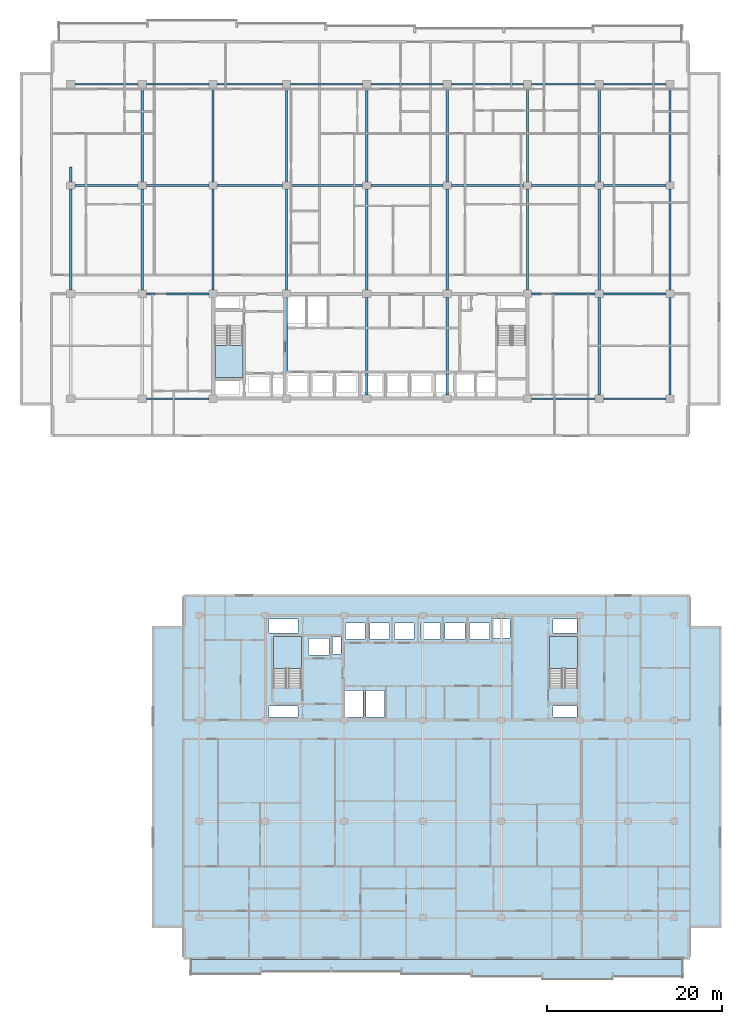
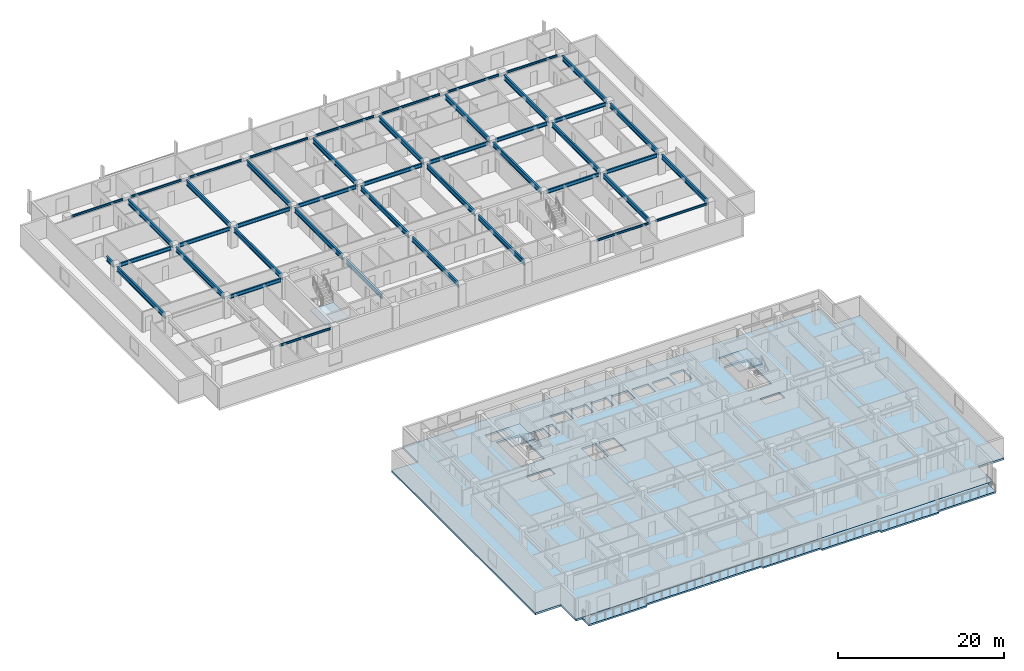
# One storey, part 2 of 22: 45 beams, 5 slabs, 3 elements without a shape of their own.
"""IFC4 building model written with IfcOpenShell, lengths in metres."""

from ifc_helpers import new_model, si_unit, direction, frame, origin, origin_2d, place, context, subcontext, project, spatial, polyline, i_section, outline, extrude, material, layer, layer_set, material_profile, profile_set, type_object, element, aggregate, save


model = new_model("IFC4")

# Units and contexts
model_context = context("Model", 3, precision=1e-05, world=origin(), true_north=direction((0.0, 1.0)))
body_context = subcontext(model_context, "Body", "Model", "MODEL_VIEW")
ifc_project = project(units=[si_unit("LENGTHUNIT", "METRE"), si_unit("AREAUNIT", "SQUARE_METRE"), si_unit("VOLUMEUNIT", "CUBIC_METRE"), si_unit("PLANEANGLEUNIT", "RADIAN"), si_unit("MASSUNIT", "GRAM", prefix="KILO")], contexts=[model_context])

# Site, building, storey
site_placement = place(None, origin())
site = spatial("IfcSite", under=ifc_project, at=site_placement, CompositionType="ELEMENT")
building_placement = place(site_placement, origin())
building = spatial("IfcBuilding", under=site, at=building_placement, Name="Korimba Cascade Residences", CompositionType="ELEMENT")
storey_placement = place(building_placement, frame((0.0, 0.0, 87.300048828125)))
storey = spatial("IfcBuildingStorey", under=building, at=storey_placement, Name="L24", CompositionType="ELEMENT", Elevation=87.300048828125)

# Beams
ifc_material_1 = material(Name="Steel S355", Category="steel")
ifc_material_profile_1 = material_profile(ifc_material_1, i_section(OverallWidth=0.165771484375, OverallDepth=0.306640625, WebThickness=0.006591796875, FlangeThickness=0.01171875, FilletRadius=0.0087890625, at=origin_2d()), Name="Steel S355")
ifc_profile_set_1 = profile_set([ifc_material_profile_1], Name="Steel S355")
beam_type_1 = type_object("IfcBeamType", Name="BM-STL-UB305", PredefinedType="SPANDREL", material=ifc_profile_set_1)
beam_1_placement = place(storey_placement, frame((68.47509765625, 55.199951171875, 2.816650390625), z_axis=(1.0, 0.0, 0.0), x_axis=(0.0, 1.0, 0.0)))
element("IfcBeam", 1, at=beam_1_placement, inside=storey, type_object=beam_type_1, Name="L24 T1 E-W Girder Y1 Bay 2", PredefinedType="SPANDREL", context=body_context, shape_type="SweptSolid", body=[
    extrude(i_section(OverallWidth=0.165771484375, OverallDepth=0.306640625, WebThickness=0.006591796875, FlangeThickness=0.01171875, FilletRadius=0.0087890625, at=origin_2d()), origin(), (0.0, 0.0, 1.0), 7.14990234375),
])
beam_2_placement = place(storey_placement, frame((112.574951171875, 55.199951171875, 2.816650390625), z_axis=(1.0, 0.0, 0.0), x_axis=(0.0, 1.0, 0.0)))
element("IfcBeam", 2, at=beam_2_placement, inside=storey, type_object=beam_type_1, Name="L24 T1 E-W Girder Y1 Bay 7", PredefinedType="SPANDREL", context=body_context, shape_type="SweptSolid", body=[
    extrude(i_section(OverallWidth=0.165771484375, OverallDepth=0.306640625, WebThickness=0.006591796875, FlangeThickness=0.01171875, FilletRadius=0.0087890625, at=origin_2d()), origin(), (0.0, 0.0, 1.0), 7.25),
])
beam_3_placement = place(storey_placement, frame((120.77490234375, 55.199951171875, 2.816650390625), z_axis=(1.0, 0.0, 0.0), x_axis=(0.0, 1.0, 0.0)))
element("IfcBeam", 3, at=beam_3_placement, inside=storey, type_object=beam_type_1, Name="L24 T1 E-W Girder Y1 Bay 8", PredefinedType="SPANDREL", context=body_context, shape_type="SweptSolid", body=[
    extrude(i_section(OverallWidth=0.165771484375, OverallDepth=0.306640625, WebThickness=0.006591796875, FlangeThickness=0.01171875, FilletRadius=0.0087890625, at=origin_2d()), origin(), (0.0, 0.0, 1.0), 7.150146484375),
])
beam_4_placement = place(storey_placement, frame((60.27490234375, 91.199951171875, 2.816650390625), z_axis=(1.0, 0.0, 0.0), x_axis=(0.0, 1.0, 0.0)))
element("IfcBeam", 4, at=beam_4_placement, inside=storey, type_object=beam_type_1, Name="L24 T1 E-W Girder Y4 Bay 1", PredefinedType="SPANDREL", context=body_context, shape_type="SweptSolid", body=[
    extrude(i_section(OverallWidth=0.165771484375, OverallDepth=0.306640625, WebThickness=0.006591796875, FlangeThickness=0.01171875, FilletRadius=0.0087890625, at=origin_2d()), origin(), (0.0, 0.0, 1.0), 7.25),
])
beam_5_placement = place(storey_placement, frame((68.47509765625, 91.199951171875, 2.816650390625), z_axis=(1.0, 0.0, 0.0), x_axis=(0.0, 1.0, 0.0)))
element("IfcBeam", 5, at=beam_5_placement, inside=storey, type_object=beam_type_1, Name="L24 T1 E-W Girder Y4 Bay 2", PredefinedType="SPANDREL", context=body_context, shape_type="SweptSolid", body=[
    extrude(i_section(OverallWidth=0.165771484375, OverallDepth=0.306640625, WebThickness=0.006591796875, FlangeThickness=0.01171875, FilletRadius=0.0087890625, at=origin_2d()), origin(), (0.0, 0.0, 1.0), 7.14990234375),
])
beam_6_placement = place(storey_placement, frame((76.574951171875, 91.199951171875, 2.816650390625), z_axis=(1.0, 0.0, 0.0), x_axis=(0.0, 1.0, 0.0)))
element("IfcBeam", 6, at=beam_6_placement, inside=storey, type_object=beam_type_1, Name="L24 T1 E-W Girder Y4 Bay 3", PredefinedType="SPANDREL", context=body_context, shape_type="SweptSolid", body=[
    extrude(i_section(OverallWidth=0.165771484375, OverallDepth=0.306640625, WebThickness=0.006591796875, FlangeThickness=0.01171875, FilletRadius=0.0087890625, at=origin_2d()), origin(), (0.0, 0.0, 1.0), 7.449951171875),
])
for number, where, z_axis, x_axis, name in (
    (7, (84.97509765625, 91.199951171875, 2.816650390625), (1.0, 0.0, 0.0), (0.0, 1.0, 0.0), "L24 T1 E-W Girder Y4 Bay 4"),
    (8, (94.175048828125, 91.199951171875, 2.816650390625), (1.0, 0.0, 0.0), (0.0, 1.0, 0.0), "L24 T1 E-W Girder Y4 Bay 5"),
    (9, (103.375, 91.199951171875, 2.816650390625), (1.0, 0.0, 0.0), (0.0, 1.0, 0.0), "L24 T1 E-W Girder Y4 Bay 6"),
):
    element("IfcBeam", number, at=place(storey_placement, frame(where, z_axis=z_axis, x_axis=x_axis)), inside=storey, type_object=beam_type_1, Name=name, PredefinedType="SPANDREL", context=body_context, shape_type="SweptSolid", body=[
        extrude(i_section(OverallWidth=0.165771484375, OverallDepth=0.306640625, WebThickness=0.006591796875, FlangeThickness=0.01171875, FilletRadius=0.0087890625, at=origin_2d()), origin(), (0.0, 0.0, 1.0), 8.25),
    ])
beam_7_placement = place(storey_placement, frame((112.574951171875, 91.199951171875, 2.816650390625), z_axis=(1.0, 0.0, 0.0), x_axis=(0.0, 1.0, 0.0)))
element("IfcBeam", 10, at=beam_7_placement, inside=storey, type_object=beam_type_1, Name="L24 T1 E-W Girder Y4 Bay 7", PredefinedType="SPANDREL", context=body_context, shape_type="SweptSolid", body=[
    extrude(i_section(OverallWidth=0.165771484375, OverallDepth=0.306640625, WebThickness=0.006591796875, FlangeThickness=0.01171875, FilletRadius=0.0087890625, at=origin_2d()), origin(), (0.0, 0.0, 1.0), 7.25),
])
beam_8_placement = place(storey_placement, frame((120.77490234375, 91.199951171875, 2.816650390625), z_axis=(1.0, 0.0, 0.0), x_axis=(0.0, 1.0, 0.0)))
element("IfcBeam", 11, at=beam_8_placement, inside=storey, type_object=beam_type_1, Name="L24 T1 E-W Girder Y4 Bay 8", PredefinedType="SPANDREL", context=body_context, shape_type="SweptSolid", body=[
    extrude(i_section(OverallWidth=0.165771484375, OverallDepth=0.306640625, WebThickness=0.006591796875, FlangeThickness=0.01171875, FilletRadius=0.0087890625, at=origin_2d()), origin(), (0.0, 0.0, 1.0), 7.150146484375),
])
ifc_material_profile_2 = material_profile(ifc_material_1, i_section(OverallWidth=0.2099609375, OverallDepth=0.53662109375, WebThickness=0.0107421875, FlangeThickness=0.017333984375, FilletRadius=0.0126953125, at=origin_2d()), Name="Steel S355")
ifc_profile_set_2 = profile_set([ifc_material_profile_2], Name="Steel S355")
beam_type_2 = type_object("IfcBeamType", Name="BM-STL-UB533", PredefinedType="BEAM", material=ifc_profile_set_2)
beam_9_placement = place(storey_placement, frame((68.47509765625, 67.199951171875, 2.70166015625), z_axis=(1.0, 0.0, 0.0), x_axis=(0.0, 1.0, 0.0)))
element("IfcBeam", 12, at=beam_9_placement, inside=storey, type_object=beam_type_2, Name="L24 T1 E-W Girder Y2 Bay 2", PredefinedType="BEAM", context=body_context, shape_type="SweptSolid", body=[
    extrude(i_section(OverallWidth=0.2099609375, OverallDepth=0.53662109375, WebThickness=0.0107421875, FlangeThickness=0.017333984375, FilletRadius=0.0126953125, at=origin_2d()), origin(), (0.0, 0.0, 1.0), 7.14990234375),
])
beam_10_placement = place(storey_placement, frame((112.574951171875, 67.199951171875, 2.70166015625), z_axis=(1.0, 0.0, 0.0), x_axis=(0.0, 1.0, 0.0)))
element("IfcBeam", 13, at=beam_10_placement, inside=storey, type_object=beam_type_2, Name="L24 T1 E-W Girder Y2 Bay 7", PredefinedType="BEAM", context=body_context, shape_type="SweptSolid", body=[
    extrude(i_section(OverallWidth=0.2099609375, OverallDepth=0.53662109375, WebThickness=0.0107421875, FlangeThickness=0.017333984375, FilletRadius=0.0126953125, at=origin_2d()), origin(), (0.0, 0.0, 1.0), 7.25),
])
beam_11_placement = place(storey_placement, frame((120.77490234375, 67.199951171875, 2.70166015625), z_axis=(1.0, 0.0, 0.0), x_axis=(0.0, 1.0, 0.0)))
element("IfcBeam", 14, at=beam_11_placement, inside=storey, type_object=beam_type_2, Name="L24 T1 E-W Girder Y2 Bay 8", PredefinedType="BEAM", context=body_context, shape_type="SweptSolid", body=[
    extrude(i_section(OverallWidth=0.2099609375, OverallDepth=0.53662109375, WebThickness=0.0107421875, FlangeThickness=0.017333984375, FilletRadius=0.0126953125, at=origin_2d()), origin(), (0.0, 0.0, 1.0), 7.150146484375),
])
beam_12_placement = place(storey_placement, frame((60.27490234375, 79.60009765625, 2.70166015625), z_axis=(1.0, 0.0, 0.0), x_axis=(0.0, 1.0, 0.0)))
element("IfcBeam", 15, at=beam_12_placement, inside=storey, type_object=beam_type_2, Name="L24 T1 E-W Girder Y3 Bay 1", PredefinedType="BEAM", context=body_context, shape_type="SweptSolid", body=[
    extrude(i_section(OverallWidth=0.2099609375, OverallDepth=0.53662109375, WebThickness=0.0107421875, FlangeThickness=0.017333984375, FilletRadius=0.0126953125, at=origin_2d()), origin(), (0.0, 0.0, 1.0), 7.25),
])
beam_13_placement = place(storey_placement, frame((68.47509765625, 79.60009765625, 2.70166015625), z_axis=(1.0, 0.0, 0.0), x_axis=(0.0, 1.0, 0.0)))
element("IfcBeam", 16, at=beam_13_placement, inside=storey, type_object=beam_type_2, Name="L24 T1 E-W Girder Y3 Bay 2", PredefinedType="BEAM", context=body_context, shape_type="SweptSolid", body=[
    extrude(i_section(OverallWidth=0.2099609375, OverallDepth=0.53662109375, WebThickness=0.0107421875, FlangeThickness=0.017333984375, FilletRadius=0.0126953125, at=origin_2d()), origin(), (0.0, 0.0, 1.0), 7.14990234375),
])
beam_14_placement = place(storey_placement, frame((76.574951171875, 79.60009765625, 2.70166015625), z_axis=(1.0, 0.0, 0.0), x_axis=(0.0, 1.0, 0.0)))
element("IfcBeam", 17, at=beam_14_placement, inside=storey, type_object=beam_type_2, Name="L24 T1 E-W Girder Y3 Bay 3", PredefinedType="BEAM", context=body_context, shape_type="SweptSolid", body=[
    extrude(i_section(OverallWidth=0.2099609375, OverallDepth=0.53662109375, WebThickness=0.0107421875, FlangeThickness=0.017333984375, FilletRadius=0.0126953125, at=origin_2d()), origin(), (0.0, 0.0, 1.0), 7.449951171875),
])
for number, where, z_axis, x_axis, name in (
    (18, (84.97509765625, 79.60009765625, 2.70166015625), (1.0, 0.0, 0.0), (0.0, 1.0, 0.0), "L24 T1 E-W Girder Y3 Bay 4"),
    (19, (94.175048828125, 79.60009765625, 2.70166015625), (1.0, 0.0, 0.0), (0.0, 1.0, 0.0), "L24 T1 E-W Girder Y3 Bay 5"),
    (20, (103.375, 79.60009765625, 2.70166015625), (1.0, 0.0, 0.0), (0.0, 1.0, 0.0), "L24 T1 E-W Girder Y3 Bay 6"),
):
    element("IfcBeam", number, at=place(storey_placement, frame(where, z_axis=z_axis, x_axis=x_axis)), inside=storey, type_object=beam_type_2, Name=name, PredefinedType="BEAM", context=body_context, shape_type="SweptSolid", body=[
        extrude(i_section(OverallWidth=0.2099609375, OverallDepth=0.53662109375, WebThickness=0.0107421875, FlangeThickness=0.017333984375, FilletRadius=0.0126953125, at=origin_2d()), origin(), (0.0, 0.0, 1.0), 8.25),
    ])
beam_15_placement = place(storey_placement, frame((112.574951171875, 79.60009765625, 2.70166015625), z_axis=(1.0, 0.0, 0.0), x_axis=(0.0, 1.0, 0.0)))
element("IfcBeam", 21, at=beam_15_placement, inside=storey, type_object=beam_type_2, Name="L24 T1 E-W Girder Y3 Bay 7", PredefinedType="BEAM", context=body_context, shape_type="SweptSolid", body=[
    extrude(i_section(OverallWidth=0.2099609375, OverallDepth=0.53662109375, WebThickness=0.0107421875, FlangeThickness=0.017333984375, FilletRadius=0.0126953125, at=origin_2d()), origin(), (0.0, 0.0, 1.0), 7.25),
])
beam_16_placement = place(storey_placement, frame((120.77490234375, 79.60009765625, 2.70166015625), z_axis=(1.0, 0.0, 0.0), x_axis=(0.0, 1.0, 0.0)))
element("IfcBeam", 22, at=beam_16_placement, inside=storey, type_object=beam_type_2, Name="L24 T1 E-W Girder Y3 Bay 8", PredefinedType="BEAM", context=body_context, shape_type="SweptSolid", body=[
    extrude(i_section(OverallWidth=0.2099609375, OverallDepth=0.53662109375, WebThickness=0.0107421875, FlangeThickness=0.017333984375, FilletRadius=0.0126953125, at=origin_2d()), origin(), (0.0, 0.0, 1.0), 7.150146484375),
])
ifc_material_profile_3 = material_profile(ifc_material_1, i_section(OverallWidth=0.255859375, OverallDepth=0.69287109375, WebThickness=0.014404296875, FlangeThickness=0.023681640625, FilletRadius=0.01513671875, at=origin_2d()), Name="Steel S355")
ifc_profile_set_3 = profile_set([ifc_material_profile_3], Name="Steel S355")
beam_type_3 = type_object("IfcBeamType", Name="BM-STL-UB686", PredefinedType="BEAM", material=ifc_profile_set_3)
beam_17_placement = place(storey_placement, frame((59.800048828125, 67.625, 2.62353515625), z_axis=(0.0, 1.0, 0.0), x_axis=(-1.0, 0.0, 0.0)))
element("IfcBeam", 23, at=beam_17_placement, inside=storey, type_object=beam_type_3, Name="L24 T1 N-S Girder X1 Seg 2", PredefinedType="BEAM", context=body_context, shape_type="SweptSolid", body=[
    extrude(i_section(OverallWidth=0.255859375, OverallDepth=0.69287109375, WebThickness=0.014404296875, FlangeThickness=0.023681640625, FilletRadius=0.01513671875, at=origin_2d()), origin(), (0.0, 0.0, 1.0), 11.550048828125),
])
beam_18_placement = place(storey_placement, frame((59.800048828125, 80.02490234375, 2.62353515625), z_axis=(0.0, 1.0, 0.0), x_axis=(-1.0, 0.0, 0.0)))
element("IfcBeam", 24, at=beam_18_placement, inside=storey, type_object=beam_type_3, Name="L24 T1 N-S Girder X1 Seg 3", PredefinedType="BEAM", context=body_context, shape_type="SweptSolid", body=[
    extrude(i_section(OverallWidth=0.255859375, OverallDepth=0.69287109375, WebThickness=0.014404296875, FlangeThickness=0.023681640625, FilletRadius=0.01513671875, at=origin_2d()), origin(), (0.0, 0.0, 1.0), 1.675048828125),
])
beam_19_placement = place(storey_placement, frame((68.0, 67.625, 2.62353515625), z_axis=(0.0, 1.0, 0.0), x_axis=(-1.0, 0.0, 0.0)))
element("IfcBeam", 25, at=beam_19_placement, inside=storey, type_object=beam_type_3, Name="L24 T1 N-S Girder X2 Seg 2", PredefinedType="BEAM", context=body_context, shape_type="SweptSolid", body=[
    extrude(i_section(OverallWidth=0.255859375, OverallDepth=0.69287109375, WebThickness=0.014404296875, FlangeThickness=0.023681640625, FilletRadius=0.01513671875, at=origin_2d()), origin(), (0.0, 0.0, 1.0), 11.550048828125),
])
beam_20_placement = place(storey_placement, frame((68.0, 80.02490234375, 2.62353515625), z_axis=(0.0, 1.0, 0.0), x_axis=(-1.0, 0.0, 0.0)))
element("IfcBeam", 26, at=beam_20_placement, inside=storey, type_object=beam_type_3, Name="L24 T1 N-S Girder X2 Seg 3", PredefinedType="BEAM", context=body_context, shape_type="SweptSolid", body=[
    extrude(i_section(OverallWidth=0.255859375, OverallDepth=0.69287109375, WebThickness=0.014404296875, FlangeThickness=0.023681640625, FilletRadius=0.01513671875, at=origin_2d()), origin(), (0.0, 0.0, 1.0), 10.75),
])
beam_21_placement = place(storey_placement, frame((76.10009765625, 67.625, 2.62353515625), z_axis=(0.0, 1.0, 0.0), x_axis=(-1.0, 0.0, 0.0)))
element("IfcBeam", 27, at=beam_21_placement, inside=storey, type_object=beam_type_3, Name="L24 T1 N-S Girder X3 Seg 2", PredefinedType="BEAM", context=body_context, shape_type="SweptSolid", body=[
    extrude(i_section(OverallWidth=0.255859375, OverallDepth=0.69287109375, WebThickness=0.014404296875, FlangeThickness=0.023681640625, FilletRadius=0.01513671875, at=origin_2d()), origin(), (0.0, 0.0, 1.0), 11.550048828125),
])
beam_22_placement = place(storey_placement, frame((76.10009765625, 80.02490234375, 2.62353515625), z_axis=(0.0, 1.0, 0.0), x_axis=(-1.0, 0.0, 0.0)))
element("IfcBeam", 28, at=beam_22_placement, inside=storey, type_object=beam_type_3, Name="L24 T1 N-S Girder X3 Seg 3", PredefinedType="BEAM", context=body_context, shape_type="SweptSolid", body=[
    extrude(i_section(OverallWidth=0.255859375, OverallDepth=0.69287109375, WebThickness=0.014404296875, FlangeThickness=0.023681640625, FilletRadius=0.01513671875, at=origin_2d()), origin(), (0.0, 0.0, 1.0), 10.75),
])
beam_23_placement = place(storey_placement, frame((84.5, 58.159912109375, 2.62353515625), z_axis=(0.0, 1.0, 0.0), x_axis=(-1.0, 0.0, 0.0)))
element("IfcBeam", 29, at=beam_23_placement, inside=storey, type_object=beam_type_3, Name="L24 T1 N-S Girder X4 Seg 1", PredefinedType="BEAM", context=body_context, shape_type="SweptSolid", body=[
    extrude(i_section(OverallWidth=0.255859375, OverallDepth=0.69287109375, WebThickness=0.014404296875, FlangeThickness=0.023681640625, FilletRadius=0.01513671875, at=origin_2d()), origin(), (0.0, 0.0, 1.0), 8.614990234375),
])
beam_24_placement = place(storey_placement, frame((84.5, 67.625, 2.62353515625), z_axis=(0.0, 1.0, 0.0), x_axis=(-1.0, 0.0, 0.0)))
element("IfcBeam", 30, at=beam_24_placement, inside=storey, type_object=beam_type_3, Name="L24 T1 N-S Girder X4 Seg 2", PredefinedType="BEAM", context=body_context, shape_type="SweptSolid", body=[
    extrude(i_section(OverallWidth=0.255859375, OverallDepth=0.69287109375, WebThickness=0.014404296875, FlangeThickness=0.023681640625, FilletRadius=0.01513671875, at=origin_2d()), origin(), (0.0, 0.0, 1.0), 11.550048828125),
])
beam_25_placement = place(storey_placement, frame((84.5, 80.02490234375, 2.62353515625), z_axis=(0.0, 1.0, 0.0), x_axis=(-1.0, 0.0, 0.0)))
element("IfcBeam", 31, at=beam_25_placement, inside=storey, type_object=beam_type_3, Name="L24 T1 N-S Girder X4 Seg 3", PredefinedType="BEAM", context=body_context, shape_type="SweptSolid", body=[
    extrude(i_section(OverallWidth=0.255859375, OverallDepth=0.69287109375, WebThickness=0.014404296875, FlangeThickness=0.023681640625, FilletRadius=0.01513671875, at=origin_2d()), origin(), (0.0, 0.0, 1.0), 10.75),
])
beam_26_placement = place(storey_placement, frame((93.699951171875, 55.625, 2.62353515625), z_axis=(0.0, 1.0, 0.0), x_axis=(-1.0, 0.0, 0.0)))
element("IfcBeam", 32, at=beam_26_placement, inside=storey, type_object=beam_type_3, Name="L24 T1 N-S Girder X5 Seg 1", PredefinedType="BEAM", context=body_context, shape_type="SweptSolid", body=[
    extrude(i_section(OverallWidth=0.255859375, OverallDepth=0.69287109375, WebThickness=0.014404296875, FlangeThickness=0.023681640625, FilletRadius=0.01513671875, at=origin_2d()), origin(), (0.0, 0.0, 1.0), 11.14990234375),
])
beam_27_placement = place(storey_placement, frame((93.699951171875, 67.625, 2.62353515625), z_axis=(0.0, 1.0, 0.0), x_axis=(-1.0, 0.0, 0.0)))
element("IfcBeam", 33, at=beam_27_placement, inside=storey, type_object=beam_type_3, Name="L24 T1 N-S Girder X5 Seg 2", PredefinedType="BEAM", context=body_context, shape_type="SweptSolid", body=[
    extrude(i_section(OverallWidth=0.255859375, OverallDepth=0.69287109375, WebThickness=0.014404296875, FlangeThickness=0.023681640625, FilletRadius=0.01513671875, at=origin_2d()), origin(), (0.0, 0.0, 1.0), 11.550048828125),
])
beam_28_placement = place(storey_placement, frame((93.699951171875, 80.02490234375, 2.62353515625), z_axis=(0.0, 1.0, 0.0), x_axis=(-1.0, 0.0, 0.0)))
element("IfcBeam", 34, at=beam_28_placement, inside=storey, type_object=beam_type_3, Name="L24 T1 N-S Girder X5 Seg 3", PredefinedType="BEAM", context=body_context, shape_type="SweptSolid", body=[
    extrude(i_section(OverallWidth=0.255859375, OverallDepth=0.69287109375, WebThickness=0.014404296875, FlangeThickness=0.023681640625, FilletRadius=0.01513671875, at=origin_2d()), origin(), (0.0, 0.0, 1.0), 10.75),
])
beam_29_placement = place(storey_placement, frame((102.89990234375, 55.625, 2.62353515625), z_axis=(0.0, 1.0, 0.0), x_axis=(-1.0, 0.0, 0.0)))
element("IfcBeam", 35, at=beam_29_placement, inside=storey, type_object=beam_type_3, Name="L24 T1 N-S Girder X6 Seg 1", PredefinedType="BEAM", context=body_context, shape_type="SweptSolid", body=[
    extrude(i_section(OverallWidth=0.255859375, OverallDepth=0.69287109375, WebThickness=0.014404296875, FlangeThickness=0.023681640625, FilletRadius=0.01513671875, at=origin_2d()), origin(), (0.0, 0.0, 1.0), 11.14990234375),
])
beam_30_placement = place(storey_placement, frame((102.89990234375, 67.625, 2.62353515625), z_axis=(0.0, 1.0, 0.0), x_axis=(-1.0, 0.0, 0.0)))
element("IfcBeam", 36, at=beam_30_placement, inside=storey, type_object=beam_type_3, Name="L24 T1 N-S Girder X6 Seg 2", PredefinedType="BEAM", context=body_context, shape_type="SweptSolid", body=[
    extrude(i_section(OverallWidth=0.255859375, OverallDepth=0.69287109375, WebThickness=0.014404296875, FlangeThickness=0.023681640625, FilletRadius=0.01513671875, at=origin_2d()), origin(), (0.0, 0.0, 1.0), 11.550048828125),
])
beam_31_placement = place(storey_placement, frame((102.89990234375, 80.02490234375, 2.62353515625), z_axis=(0.0, 1.0, 0.0), x_axis=(-1.0, 0.0, 0.0)))
element("IfcBeam", 37, at=beam_31_placement, inside=storey, type_object=beam_type_3, Name="L24 T1 N-S Girder X6 Seg 3", PredefinedType="BEAM", context=body_context, shape_type="SweptSolid", body=[
    extrude(i_section(OverallWidth=0.255859375, OverallDepth=0.69287109375, WebThickness=0.014404296875, FlangeThickness=0.023681640625, FilletRadius=0.01513671875, at=origin_2d()), origin(), (0.0, 0.0, 1.0), 10.75),
])
beam_32_placement = place(storey_placement, frame((112.10009765625, 67.625, 2.62353515625), z_axis=(0.0, 1.0, 0.0), x_axis=(-1.0, 0.0, 0.0)))
element("IfcBeam", 38, at=beam_32_placement, inside=storey, type_object=beam_type_3, Name="L24 T1 N-S Girder X7 Seg 2", PredefinedType="BEAM", context=body_context, shape_type="SweptSolid", body=[
    extrude(i_section(OverallWidth=0.255859375, OverallDepth=0.69287109375, WebThickness=0.014404296875, FlangeThickness=0.023681640625, FilletRadius=0.01513671875, at=origin_2d()), origin(), (0.0, 0.0, 1.0), 11.550048828125),
])
beam_33_placement = place(storey_placement, frame((112.10009765625, 80.02490234375, 2.62353515625), z_axis=(0.0, 1.0, 0.0), x_axis=(-1.0, 0.0, 0.0)))
element("IfcBeam", 39, at=beam_33_placement, inside=storey, type_object=beam_type_3, Name="L24 T1 N-S Girder X7 Seg 3", PredefinedType="BEAM", context=body_context, shape_type="SweptSolid", body=[
    extrude(i_section(OverallWidth=0.255859375, OverallDepth=0.69287109375, WebThickness=0.014404296875, FlangeThickness=0.023681640625, FilletRadius=0.01513671875, at=origin_2d()), origin(), (0.0, 0.0, 1.0), 10.75),
])
beam_34_placement = place(storey_placement, frame((120.300048828125, 55.625, 2.62353515625), z_axis=(0.0, 1.0, 0.0), x_axis=(-1.0, 0.0, 0.0)))
element("IfcBeam", 40, at=beam_34_placement, inside=storey, type_object=beam_type_3, Name="L24 T1 N-S Girder X8 Seg 1", PredefinedType="BEAM", context=body_context, shape_type="SweptSolid", body=[
    extrude(i_section(OverallWidth=0.255859375, OverallDepth=0.69287109375, WebThickness=0.014404296875, FlangeThickness=0.023681640625, FilletRadius=0.01513671875, at=origin_2d()), origin(), (0.0, 0.0, 1.0), 11.14990234375),
])
beam_35_placement = place(storey_placement, frame((120.300048828125, 67.625, 2.62353515625), z_axis=(0.0, 1.0, 0.0), x_axis=(-1.0, 0.0, 0.0)))
element("IfcBeam", 41, at=beam_35_placement, inside=storey, type_object=beam_type_3, Name="L24 T1 N-S Girder X8 Seg 2", PredefinedType="BEAM", context=body_context, shape_type="SweptSolid", body=[
    extrude(i_section(OverallWidth=0.255859375, OverallDepth=0.69287109375, WebThickness=0.014404296875, FlangeThickness=0.023681640625, FilletRadius=0.01513671875, at=origin_2d()), origin(), (0.0, 0.0, 1.0), 11.550048828125),
])
beam_36_placement = place(storey_placement, frame((120.300048828125, 80.02490234375, 2.62353515625), z_axis=(0.0, 1.0, 0.0), x_axis=(-1.0, 0.0, 0.0)))
element("IfcBeam", 42, at=beam_36_placement, inside=storey, type_object=beam_type_3, Name="L24 T1 N-S Girder X8 Seg 3", PredefinedType="BEAM", context=body_context, shape_type="SweptSolid", body=[
    extrude(i_section(OverallWidth=0.255859375, OverallDepth=0.69287109375, WebThickness=0.014404296875, FlangeThickness=0.023681640625, FilletRadius=0.01513671875, at=origin_2d()), origin(), (0.0, 0.0, 1.0), 10.75),
])
beam_37_placement = place(storey_placement, frame((128.39990234375, 55.625, 2.62353515625), z_axis=(0.0, 1.0, 0.0), x_axis=(-1.0, 0.0, 0.0)))
element("IfcBeam", 43, at=beam_37_placement, inside=storey, type_object=beam_type_3, Name="L24 T1 N-S Girder X9 Seg 1", PredefinedType="BEAM", context=body_context, shape_type="SweptSolid", body=[
    extrude(i_section(OverallWidth=0.255859375, OverallDepth=0.69287109375, WebThickness=0.014404296875, FlangeThickness=0.023681640625, FilletRadius=0.01513671875, at=origin_2d()), origin(), (0.0, 0.0, 1.0), 11.14990234375),
])
beam_38_placement = place(storey_placement, frame((128.39990234375, 67.625, 2.62353515625), z_axis=(0.0, 1.0, 0.0), x_axis=(-1.0, 0.0, 0.0)))
element("IfcBeam", 44, at=beam_38_placement, inside=storey, type_object=beam_type_3, Name="L24 T1 N-S Girder X9 Seg 2", PredefinedType="BEAM", context=body_context, shape_type="SweptSolid", body=[
    extrude(i_section(OverallWidth=0.255859375, OverallDepth=0.69287109375, WebThickness=0.014404296875, FlangeThickness=0.023681640625, FilletRadius=0.01513671875, at=origin_2d()), origin(), (0.0, 0.0, 1.0), 11.550048828125),
])
beam_39_placement = place(storey_placement, frame((128.39990234375, 80.02490234375, 2.62353515625), z_axis=(0.0, 1.0, 0.0), x_axis=(-1.0, 0.0, 0.0)))
element("IfcBeam", 45, at=beam_39_placement, inside=storey, type_object=beam_type_3, Name="L24 T1 N-S Girder X9 Seg 3", PredefinedType="BEAM", context=body_context, shape_type="SweptSolid", body=[
    extrude(i_section(OverallWidth=0.255859375, OverallDepth=0.69287109375, WebThickness=0.014404296875, FlangeThickness=0.023681640625, FilletRadius=0.01513671875, at=origin_2d()), origin(), (0.0, 0.0, 1.0), 10.75),
])

# Stair, slab
ifc_material_2 = material(Name="Concrete C50/60", Category="concrete")
stair_type_1 = type_object("IfcStairType", Name="STR-W1-18R-1806", PredefinedType="HALF_TURN_STAIR", material=ifc_material_2)
stair_1_placement = place(storey_placement, origin())
stair_1 = element("IfcStair", 46, at=stair_1_placement, inside=storey, type_object=stair_type_1, Name="L24 Tower 1 West Fire Stair ST-W1", PredefinedType="HALF_TURN_STAIR")
ifc_layer_1 = layer(ifc_material_2, 0.199951171875)
ifc_layer_set_1 = layer_set([ifc_layer_1], Name="Concrete C50/60")
slab_type_1 = type_object("IfcSlabType", Name="SLB-LND-220", PredefinedType="LANDING", material=ifc_layer_set_1)
slab_1_placement = place(storey_placement, frame((0.0, 0.0, 1.425048828125)))
slab_1 = element("IfcSlab", 47, at=slab_1_placement, type_object=slab_type_1, Name="ST-W1 landing 1", PredefinedType="LANDING", context=body_context, shape_type="SweptSolid", body=[
    extrude(outline(polyline([(76.300048828125, 61.31005859375), (76.300048828125, 57.60009765625), (79.5400390625, 57.60009765625), (79.5400390625, 61.31005859375), (76.300048828125, 61.31005859375)])), origin(), (0.0, 0.0, 1.0), 0.199951171875),
])
aggregate(stair_1, [slab_1])

stair_type_2 = type_object("IfcStairType", Name="STR-E1-18R-1806", PredefinedType="HALF_TURN_STAIR", material=ifc_material_2)
stair_2_placement = place(storey_placement, origin())
stair_2 = element("IfcStair", 48, at=stair_2_placement, inside=storey, type_object=stair_type_2, Name="L24 Tower 2 West Fire Stair ST-E1", PredefinedType="HALF_TURN_STAIR")
slab_2_placement = place(storey_placement, frame((0.0, 0.0, 1.425048828125)))
slab_2 = element("IfcSlab", 49, at=slab_2_placement, type_object=slab_type_1, Name="ST-E1 landing 1", PredefinedType="LANDING", context=body_context, shape_type="SweptSolid", body=[
    extrude(outline(polyline([(86.239990234375, 24.2900390625), (86.239990234375, 28.0), (83.0, 28.0), (83.0, 24.2900390625), (86.239990234375, 24.2900390625)])), origin(), (0.0, 0.0, 1.0), 0.199951171875),
])
aggregate(stair_2, [slab_2])

stair_type_3 = type_object("IfcStairType", Name="STR-E2-18R-1806", PredefinedType="HALF_TURN_STAIR", material=ifc_material_2)
stair_3_placement = place(storey_placement, origin())
stair_3 = element("IfcStair", 50, at=stair_3_placement, inside=storey, type_object=stair_type_3, Name="L24 Tower 2 East Fire Stair ST-E2", PredefinedType="HALF_TURN_STAIR")
slab_3_placement = place(storey_placement, frame((0.0, 0.0, 1.425048828125)))
slab_3 = element("IfcSlab", 51, at=slab_3_placement, type_object=slab_type_1, Name="ST-E2 landing 1", PredefinedType="LANDING", context=body_context, shape_type="SweptSolid", body=[
    extrude(outline(polyline([(117.840087890625, 24.2900390625), (117.840087890625, 28.0), (114.60009765625, 28.0), (114.60009765625, 24.2900390625), (117.840087890625, 24.2900390625)])), origin(), (0.0, 0.0, 1.0), 0.199951171875),
])
aggregate(stair_3, [slab_3])

# Slabs
ifc_material_3 = material(Name="Precast concrete C40/50", Category="concrete")
ifc_layer_2 = layer(ifc_material_3, 0.239990234375)
ifc_layer_set_2 = layer_set([ifc_layer_2], Name="Precast concrete C40/50")
slab_type_2 = type_object("IfcSlabType", Name="SLB-LOG-240", PredefinedType="FLOOR", material=ifc_layer_set_2)
slab_4_placement = place(storey_placement, frame((0.0, 0.0, -0.239990234375)))
element("IfcSlab", 52, at=slab_4_placement, inside=storey, type_object=slab_type_2, Name="L24 Tower 2 South Loggia Slab", PredefinedType="FLOOR", context=body_context, shape_type="SweptSolid", body=[
    extrude(outline(polyline([(73.5, -10.75), (81.55712890625, -10.75), (81.55712890625, -10.449951171875), (97.67138671875, -10.449951171875), (97.67138671875, -10.75), (105.728515625, -10.75), (105.728515625, -11.050048828125), (113.78564453125, -11.050048828125), (113.78564453125, -11.35009765625), (121.843017578125, -11.35009765625), (121.843017578125, -11.050048828125), (129.89990234375, -11.050048828125), (129.89990234375, -9.0), (73.5, -9.0), (73.5, -10.75)])), origin(), (0.0, 0.0, 1.0), 0.239990234375),
])
ifc_layer_3 = layer(ifc_material_2, 0.280029296875)
ifc_layer_set_3 = layer_set([ifc_layer_3], Name="Concrete C50/60")
slab_type_3 = type_object("IfcSlabType", Name="SLB-TYP-280", PredefinedType="FLOOR", material=ifc_layer_set_3)
slab_5_placement = place(storey_placement, frame((0.0, 0.0, -0.280029296875)))
element("IfcSlab", 53, at=slab_5_placement, inside=storey, type_object=slab_type_3, Name="L24 Tower 2 Floor Slab", PredefinedType="FLOOR", context=body_context, shape_type="SweptSolid", body=[
    extrude(outline(polyline([(72.699951171875, -9.0), (130.699951171875, -9.0), (130.699951171875, -5.39990234375), (134.300048828125, -5.39990234375), (134.300048828125, 29.199951171875), (130.699951171875, 29.199951171875), (130.699951171875, 32.800048828125), (72.699951171875, 32.800048828125), (72.699951171875, 29.199951171875), (69.10009765625, 29.199951171875), (69.10009765625, -5.39990234375), (72.699951171875, -5.39990234375), (72.699951171875, -9.0)]), holes=[polyline([(86.239990234375, 22.0849609375), (86.239990234375, 28.0), (83.0, 28.0), (83.0, 22.0849609375), (86.239990234375, 22.0849609375)]), polyline([(117.840087890625, 22.0849609375), (117.840087890625, 28.0), (114.60009765625, 28.0), (114.60009765625, 22.0849609375), (117.840087890625, 22.0849609375)]), polyline([(87.030029296875, 25.8798828125), (89.3701171875, 25.8798828125), (89.3701171875, 27.719970703125), (87.030029296875, 27.719970703125), (87.030029296875, 25.8798828125)]), polyline([(91.280029296875, 27.679931640625), (93.52001953125, 27.679931640625), (93.52001953125, 29.52001953125), (91.280029296875, 29.52001953125), (91.280029296875, 27.679931640625)]), polyline([(94.080078125, 27.679931640625), (96.320068359375, 27.679931640625), (96.320068359375, 29.52001953125), (94.080078125, 29.52001953125), (94.080078125, 27.679931640625)]), polyline([(96.8798828125, 27.679931640625), (99.1201171875, 27.679931640625), (99.1201171875, 29.52001953125), (96.8798828125, 29.52001953125), (96.8798828125, 27.679931640625)]), polyline([(99.8798828125, 27.679931640625), (102.1201171875, 27.679931640625), (102.1201171875, 29.52001953125), (99.8798828125, 29.52001953125), (99.8798828125, 27.679931640625)]), polyline([(102.679931640625, 27.679931640625), (104.919921875, 27.679931640625), (104.919921875, 29.52001953125), (102.679931640625, 29.52001953125), (102.679931640625, 27.679931640625)]), polyline([(105.47998046875, 27.679931640625), (107.719970703125, 27.679931640625), (107.719970703125, 29.52001953125), (105.47998046875, 29.52001953125), (105.47998046875, 27.679931640625)]), polyline([(89.780029296875, 25.97998046875), (90.719970703125, 25.97998046875), (90.719970703125, 27.919921875), (89.780029296875, 27.919921875), (89.780029296875, 25.97998046875)]), polyline([(82.530029296875, 18.72998046875), (85.800048828125, 18.72998046875), (85.800048828125, 20.0400390625), (82.530029296875, 20.0400390625), (82.530029296875, 18.72998046875)]), polyline([(82.530029296875, 28.360107421875), (85.800048828125, 28.360107421875), (85.800048828125, 29.969970703125), (82.530029296875, 29.969970703125), (82.530029296875, 28.360107421875)]), polyline([(108.22998046875, 27.780029296875), (110.1201171875, 27.780029296875), (110.1201171875, 29.969970703125), (108.22998046875, 29.969970703125), (108.22998046875, 27.780029296875)]), polyline([(91.22998046875, 18.72998046875), (93.27001953125, 18.72998046875), (93.27001953125, 21.780029296875), (91.22998046875, 21.780029296875), (91.22998046875, 18.72998046875)]), polyline([(93.6298828125, 18.72998046875), (95.719970703125, 18.72998046875), (95.719970703125, 21.780029296875), (93.6298828125, 21.780029296875), (93.6298828125, 18.72998046875)]), polyline([(115.02001953125, 18.72998046875), (117.739990234375, 18.72998046875), (117.739990234375, 20.0400390625), (115.02001953125, 20.0400390625), (115.02001953125, 18.72998046875)]), polyline([(115.02001953125, 28.360107421875), (117.739990234375, 28.360107421875), (117.739990234375, 29.969970703125), (115.02001953125, 29.969970703125), (115.02001953125, 28.360107421875)])]), origin(), (0.0, 0.0, 1.0), 0.280029296875),
])

save(model, "model.ifc")
